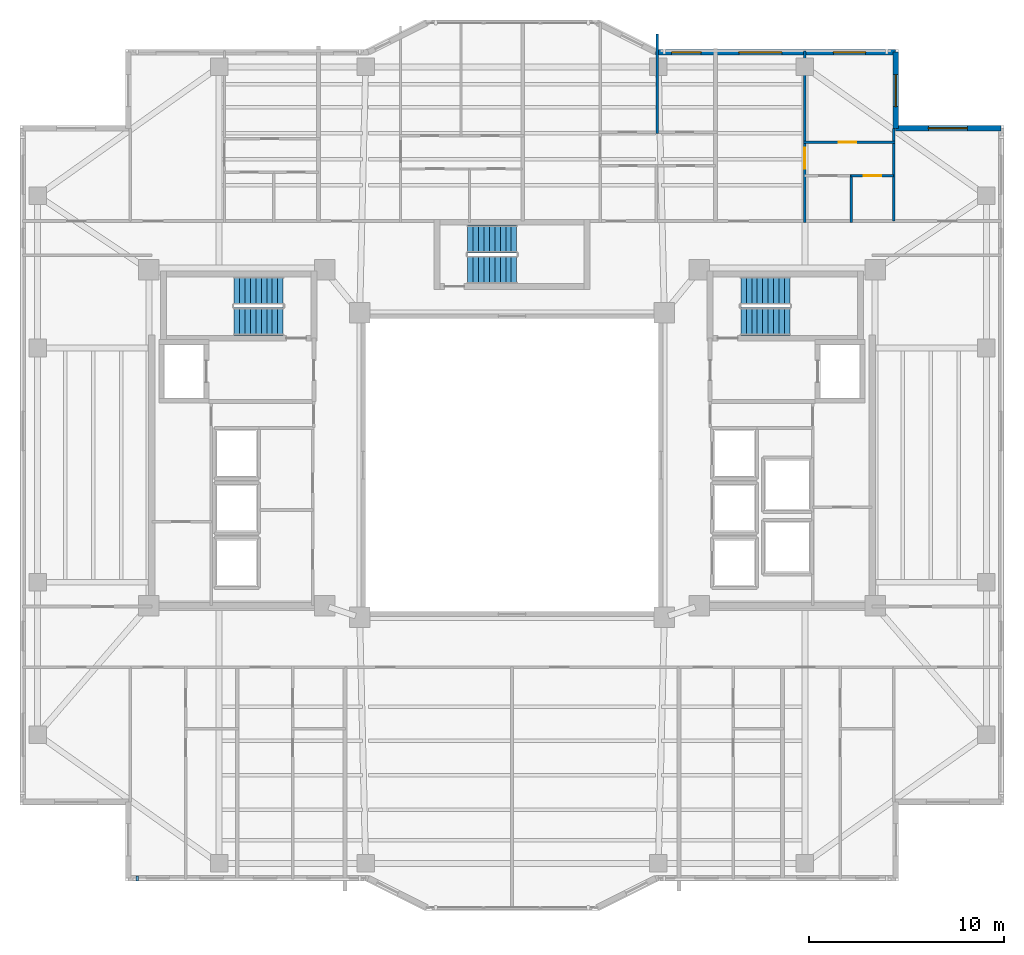
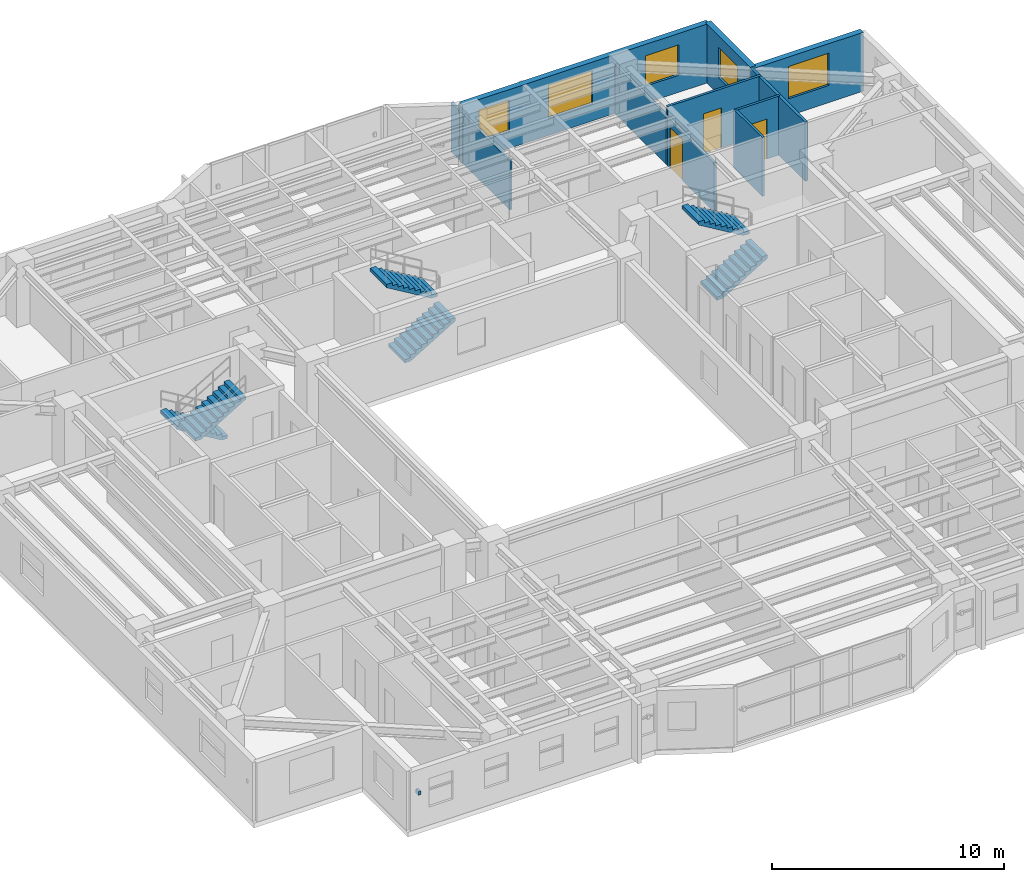
# One storey, part 11 of 16: 9 walls, 6 stair flights, 5 windows, 3 doors, 1 discrete accessory, 8 openings, 3 elements without a shape of their own.
"""IFC4 building model written with IfcOpenShell, lengths in metres."""

from ifc_helpers import new_model, si_unit, direction, frame, frame_2d, origin, origin_2d, place, context, subcontext, project, spatial, polyline, rectangle, outline, extrude, material, layer, layer_set, type_object, element, fill, aggregate, save


model = new_model("IFC4")

# Units and contexts
model_context = context("Model", 3, precision=1e-05, world=origin(), true_north=direction((0.0, 1.0)))
body_context = subcontext(model_context, "Body", "Model", "MODEL_VIEW")
ifc_project = project(units=[si_unit("LENGTHUNIT", "METRE"), si_unit("AREAUNIT", "SQUARE_METRE"), si_unit("VOLUMEUNIT", "CUBIC_METRE"), si_unit("PLANEANGLEUNIT", "RADIAN"), si_unit("MASSUNIT", "GRAM", prefix="KILO")], contexts=[model_context])

# Site, building, storey
site_placement = place(None, origin())
site = spatial("IfcSite", under=ifc_project, at=site_placement, CompositionType="ELEMENT")
building_placement = place(site_placement, origin())
building = spatial("IfcBuilding", under=site, at=building_placement, Name="Tarnavaz Court Tower", CompositionType="ELEMENT")
storey_placement = place(building_placement, frame((0.0, 0.0, 152.699951171875)))
storey = spatial("IfcBuildingStorey", under=building, at=storey_placement, Name="L41", CompositionType="ELEMENT", Elevation=152.699951171875)

# Wall, openings, windows
ifc_material_1 = material(Name="Precast Concrete C40/50", Category="concrete")
ifc_layer_1 = layer(ifc_material_1, 0.280029296875)
ifc_layer_set_1 = layer_set([ifc_layer_1], Name="Precast Concrete C40/50")
wall_type_1 = type_object("IfcWallType", Name="WL-EXT-280", PredefinedType="SOLIDWALL", material=ifc_layer_set_1)
wall_1_placement = place(storey_placement, frame((7.35009765625, 21.14990234375, 0.0), z_axis=(0.0, 0.0, 1.0), x_axis=(1.0, 0.0, 0.0)))
wall_1 = element("IfcWall", 1, at=wall_1_placement, inside=storey, type_object=wall_type_1, Name="L41 Exterior Terracotta Facade Wall 09", PredefinedType="SOLIDWALL", context=body_context, shape_type="SweptSolid", body=[
    extrude(rectangle(XDim=12.2998046875, YDim=0.280029296875, at=frame_2d((6.14990234375, 0.0))), origin(), (0.0, 0.0, 1.0), 3.10009765625),
])
opening_1_placement = place(wall_1_placement, frame((0.831298828125, 0.0, 0.89990234375)))
opening_1 = element("IfcOpeningElement", 2, at=opening_1_placement, cuts=wall_1, Name="Opening W03", PredefinedType="OPENING", context=body_context, shape_type="SweptSolid", body=[
    extrude(rectangle(XDim=1.5, YDim=1.64990234375, at=frame_2d((0.75, 0.824951171875))), frame((0.0, 0.14990234375, 0.0), z_axis=(0.0, -1.0, 0.0), x_axis=(1.0, 0.0, 0.0)), (0.0, 0.0, 1.0), 0.300048828125),
])
opening_2_placement = place(wall_1_placement, frame((4.271728515625, 0.0, 0.89990234375)))
opening_2 = element("IfcOpeningElement", 3, at=opening_2_placement, cuts=wall_1, Name="Opening W07", PredefinedType="OPENING", context=body_context, shape_type="SweptSolid", body=[
    extrude(rectangle(XDim=2.199951171875, YDim=1.75, at=frame_2d((1.10009765625, 0.875))), frame((0.0, 0.14990234375, 0.0), z_axis=(0.0, -1.0, 0.0), x_axis=(1.0, 0.0, 0.0)), (0.0, 0.0, 1.0), 0.300048828125),
])
opening_3_placement = place(wall_1_placement, frame((9.115478515625, 0.0, 0.89990234375)))
opening_3 = element("IfcOpeningElement", 4, at=opening_3_placement, cuts=wall_1, Name="Opening W02", PredefinedType="OPENING", context=body_context, shape_type="SweptSolid", body=[
    extrude(rectangle(XDim=1.64990234375, YDim=1.60009765625, at=frame_2d((0.824951171875, 0.800048828125))), frame((0.0, 0.14990234375, 0.0), z_axis=(0.0, -1.0, 0.0), x_axis=(1.0, 0.0, 0.0)), (0.0, 0.0, 1.0), 0.300048828125),
])
ifc_material_2 = material(Name="Double-Glazed Solar Low-E Glass", Category="glass")
window_type_1 = type_object("IfcWindowType", Name="WN-APT-1500", PartitioningType="DOUBLE_PANEL_VERTICAL", PredefinedType="WINDOW", material=ifc_material_2)
window_1_placement = place(opening_1_placement, origin())
window_1 = element("IfcWindow", 5, at=window_1_placement, inside=storey, type_object=window_type_1, Name="L41 Flat 03 Bedroom 2 Window", OverallHeight=1.64990234375, OverallWidth=1.5, PartitioningType="SINGLE_PANEL", PredefinedType="WINDOW", context=body_context, shape_type="SweptSolid", body=[
    extrude(rectangle(XDim=1.5, YDim=1.64990234375, at=frame_2d((0.75, 0.824951171875))), frame((0.0, 0.030029296875, 0.0), z_axis=(0.0, -1.0, 0.0), x_axis=(1.0, 0.0, 0.0)), (0.0, 0.0, 1.0), 0.06005859375),
])
fill(opening_1, window_1)
window_type_2 = type_object("IfcWindowType", Name="WN-APT-1650", PartitioningType="DOUBLE_PANEL_VERTICAL", PredefinedType="WINDOW", material=ifc_material_2)
window_2_placement = place(opening_3_placement, origin())
window_2 = element("IfcWindow", 6, at=window_2_placement, inside=storey, type_object=window_type_2, Name="L41 Flat 04 Bedroom 1 Window", OverallHeight=1.60009765625, OverallWidth=1.64990234375, PartitioningType="SINGLE_PANEL", PredefinedType="WINDOW", context=body_context, shape_type="SweptSolid", body=[
    extrude(rectangle(XDim=1.64990234375, YDim=1.60009765625, at=frame_2d((0.824951171875, 0.800048828125))), frame((0.0, 0.030029296875, 0.0), z_axis=(0.0, -1.0, 0.0), x_axis=(1.0, 0.0, 0.0)), (0.0, 0.0, 1.0), 0.06005859375),
])
fill(opening_3, window_2)
window_type_3 = type_object("IfcWindowType", Name="WN-APT-2200", PartitioningType="TRIPLE_PANEL_VERTICAL", PredefinedType="WINDOW", material=ifc_material_2)
window_3_placement = place(opening_2_placement, origin())
window_3 = element("IfcWindow", 7, at=window_3_placement, inside=storey, type_object=window_type_3, Name="L41 Flat 04 Living and Dining Room Window", OverallHeight=1.75, OverallWidth=2.199951171875, PartitioningType="SINGLE_PANEL", PredefinedType="WINDOW", context=body_context, shape_type="SweptSolid", body=[
    extrude(rectangle(XDim=2.199951171875, YDim=1.75, at=frame_2d((1.10009765625, 0.875))), frame((0.0, 0.030029296875, 0.0), z_axis=(0.0, -1.0, 0.0), x_axis=(1.0, 0.0, 0.0)), (0.0, 0.0, 1.0), 0.06005859375),
])
fill(opening_2, window_3)

# Wall, opening, window
wall_2_placement = place(storey_placement, frame((19.64990234375, 21.14990234375, 0.0), z_axis=(0.0, 0.0, 1.0), x_axis=(0.0, -1.0, 0.0)))
wall_2 = element("IfcWall", 8, at=wall_2_placement, inside=storey, type_object=wall_type_1, Name="L41 Exterior Terracotta Facade Wall 10", PredefinedType="SOLIDWALL", context=body_context, shape_type="SweptSolid", body=[
    extrude(rectangle(XDim=3.89990234375, YDim=0.280029296875, at=frame_2d((1.949951171875, 0.0))), origin(), (0.0, 0.0, 1.0), 3.10009765625),
])
opening_4_placement = place(wall_2_placement, frame((1.142822265625, 0.0, 0.89990234375)))
opening_4 = element("IfcOpeningElement", 9, at=opening_4_placement, cuts=wall_2, Name="Opening W02", PredefinedType="OPENING", context=body_context, shape_type="SweptSolid", body=[
    extrude(rectangle(XDim=1.64990234375, YDim=1.60009765625, at=frame_2d((0.824951171875, 0.800048828125))), frame((0.0, 0.14990234375, 0.0), z_axis=(0.0, -1.0, 0.0), x_axis=(1.0, 0.0, 0.0)), (0.0, 0.0, 1.0), 0.300048828125),
])
window_4_placement = place(opening_4_placement, origin())
window_4 = element("IfcWindow", 10, at=window_4_placement, inside=storey, type_object=window_type_2, Name="L41 Flat 04 Bedroom 1 Window", OverallHeight=1.60009765625, OverallWidth=1.64990234375, PartitioningType="SINGLE_PANEL", PredefinedType="WINDOW", context=body_context, shape_type="SweptSolid", body=[
    extrude(rectangle(XDim=1.64990234375, YDim=1.60009765625, at=frame_2d((0.824951171875, 0.800048828125))), frame((0.0, 0.030029296875, 0.0), z_axis=(0.0, -1.0, 0.0), x_axis=(1.0, 0.0, 0.0)), (0.0, 0.0, 1.0), 0.06005859375),
])
fill(opening_4, window_4)

wall_3_placement = place(storey_placement, frame((19.64990234375, 17.25, 0.0), z_axis=(0.0, 0.0, 1.0), x_axis=(1.0, 0.0, 0.0)))
wall_3 = element("IfcWall", 11, at=wall_3_placement, inside=storey, type_object=wall_type_1, Name="L41 Exterior Terracotta Facade Wall 11", PredefinedType="SOLIDWALL", context=body_context, shape_type="SweptSolid", body=[
    extrude(rectangle(XDim=5.400146484375, YDim=0.280029296875, at=frame_2d((2.7001953125, 0.0))), origin(), (0.0, 0.0, 1.0), 3.10009765625),
])
opening_5_placement = place(wall_3_placement, frame((1.675048828125, 0.0, 0.89990234375)))
opening_5 = element("IfcOpeningElement", 12, at=opening_5_placement, cuts=wall_3, Name="Opening W08", PredefinedType="OPENING", context=body_context, shape_type="SweptSolid", body=[
    extrude(rectangle(XDim=2.0, YDim=1.699951171875, at=frame_2d((1.0, 0.85009765625))), frame((0.0, 0.14990234375, 0.0), z_axis=(0.0, -1.0, 0.0), x_axis=(1.0, 0.0, 0.0)), (0.0, 0.0, 1.0), 0.300048828125),
])
window_type_4 = type_object("IfcWindowType", Name="WN-APT-2000", PartitioningType="DOUBLE_PANEL_VERTICAL", PredefinedType="WINDOW", material=ifc_material_2)
window_5_placement = place(opening_5_placement, origin())
window_5 = element("IfcWindow", 13, at=window_5_placement, inside=storey, type_object=window_type_4, Name="L41 North-East Corner Sunroom Study Window", OverallHeight=1.699951171875, OverallWidth=2.0, PartitioningType="SINGLE_PANEL", PredefinedType="WINDOW", context=body_context, shape_type="SweptSolid", body=[
    extrude(rectangle(XDim=2.0, YDim=1.699951171875, at=frame_2d((1.0, 0.85009765625))), frame((0.0, 0.030029296875, 0.0), z_axis=(0.0, -1.0, 0.0), x_axis=(1.0, 0.0, 0.0)), (0.0, 0.0, 1.0), 0.06005859375),
])
fill(opening_5, window_5)

# Wall
ifc_material_3 = material(Name="Moisture-Resistant Gypsum Board Partition", Category="masonry")
ifc_layer_2 = layer(ifc_material_3, 0.1201171875)
ifc_layer_set_2 = layer_set([ifc_layer_2], Name="Moisture-Resistant Gypsum Board Partition")
wall_type_2 = type_object("IfcWallType", Name="WL-PART-120", PredefinedType="PARTITIONING", material=ifc_layer_set_2)
wall_4_placement = place(storey_placement, frame((7.44189453125, 16.989990234375, 0.0), z_axis=(0.0, 0.0, 1.0), x_axis=(0.0, 1.0, 0.0)))
element("IfcWall", 14, at=wall_4_placement, inside=storey, type_object=wall_type_2, Name="L41 Interior Partition 094", PredefinedType="PARTITIONING", context=body_context, shape_type="SweptSolid", body=[
    extrude(rectangle(XDim=5.087890625, YDim=0.1201171875, at=frame_2d((2.5439453125, 0.0))), origin(), (0.0, 0.0, 1.0), 2.5849609375),
])

# Wall, opening, door
wall_5_placement = place(storey_placement, frame((14.989990234375, 12.43994140625, 0.0), z_axis=(0.0, 0.0, 1.0), x_axis=(0.0, 1.0, 0.0)))
wall_5 = element("IfcWall", 15, at=wall_5_placement, inside=storey, type_object=wall_type_2, Name="L41 Interior Partition 095", PredefinedType="PARTITIONING", context=body_context, shape_type="SweptSolid", body=[
    extrude(rectangle(XDim=8.760009765625, YDim=0.1201171875, at=frame_2d((4.3798828125, 0.0))), origin(), (0.0, 0.0, 1.0), 2.5849609375),
])
opening_6_placement = place(wall_5_placement, frame((2.735107421875, 0.0, 0.0)))
opening_6 = element("IfcOpeningElement", 16, at=opening_6_placement, cuts=wall_5, Name="Opening D12", PredefinedType="OPENING", context=body_context, shape_type="SweptSolid", body=[
    extrude(rectangle(XDim=1.080078125, YDim=2.14990234375, at=frame_2d((0.5400390625, 1.074951171875))), frame((0.0, 0.070068359375, 0.0), z_axis=(0.0, -1.0, 0.0), x_axis=(1.0, 0.0, 0.0)), (0.0, 0.0, 1.0), 0.14013671875),
])
ifc_material_4 = material(Name="Engineered Oak Timber", Category="wood")
door_type_1 = type_object("IfcDoorType", Name="DR-INT-1100", OperationType="NOTDEFINED", PredefinedType="DOOR", material=ifc_material_4)
door_1_placement = place(opening_6_placement, origin())
door_1 = element("IfcDoor", 17, at=door_1_placement, inside=storey, type_object=door_type_1, Name="L41 Flat 04 Foyer Door", OperationType="SINGLE_SWING_LEFT", OverallHeight=2.14990234375, OverallWidth=1.080078125, PredefinedType="DOOR", context=body_context, shape_type="SweptSolid", body=[
    extrude(rectangle(XDim=1.080078125, YDim=2.14990234375, at=frame_2d((0.5400390625, 1.074951171875))), frame((0.0, 0.02490234375, 0.0), z_axis=(0.0, -1.0, 0.0), x_axis=(1.0, 0.0, 0.0)), (0.0, 0.0, 1.0), 0.050048828125),
])
fill(opening_6, door_1)

wall_6_placement = place(storey_placement, frame((17.375, 14.830078125, 0.0), z_axis=(0.0, 0.0, 1.0), x_axis=(1.0, 0.0, 0.0)))
wall_6 = element("IfcWall", 18, at=wall_6_placement, inside=storey, type_object=wall_type_2, Name="L41 Interior Partition 097", PredefinedType="PARTITIONING", context=body_context, shape_type="SweptSolid", body=[
    extrude(rectangle(XDim=2.175048828125, YDim=0.1201171875, at=frame_2d((1.08740234375, 0.0))), origin(), (0.0, 0.0, 1.0), 3.10009765625),
])
opening_7_placement = place(wall_6_placement, frame((0.64794921875, 0.0, 0.0)))
opening_7 = element("IfcOpeningElement", 19, at=opening_7_placement, cuts=wall_6, Name="Opening D14", PredefinedType="OPENING", context=body_context, shape_type="SweptSolid", body=[
    extrude(rectangle(XDim=0.8798828125, YDim=2.10009765625, at=frame_2d((0.43994140625, 1.050048828125))), frame((0.0, 0.070068359375, 0.0), z_axis=(0.0, -1.0, 0.0), x_axis=(1.0, 0.0, 0.0)), (0.0, 0.0, 1.0), 0.14013671875),
])
door_type_2 = type_object("IfcDoorType", Name="DR-INT-900", OperationType="NOTDEFINED", PredefinedType="DOOR", material=ifc_material_4)
door_2_placement = place(opening_7_placement, origin())
door_2 = element("IfcDoor", 20, at=door_2_placement, inside=storey, type_object=door_type_2, Name="L41 Flat 04 Bathroom Door", OperationType="SINGLE_SWING_LEFT", OverallHeight=2.10009765625, OverallWidth=0.8798828125, PredefinedType="DOOR", context=body_context, shape_type="SweptSolid", body=[
    extrude(rectangle(XDim=0.8798828125, YDim=2.10009765625, at=frame_2d((0.43994140625, 1.050048828125))), frame((0.0, 0.02490234375, 0.0), z_axis=(0.0, -1.0, 0.0), x_axis=(1.0, 0.0, 0.0)), (0.0, 0.0, 1.0), 0.050048828125),
])
fill(opening_7, door_2)

wall_7_placement = place(storey_placement, frame((14.929931640625, 16.5400390625, 0.0), z_axis=(0.0, 0.0, 1.0), x_axis=(1.0, 0.0, 0.0)))
wall_7 = element("IfcWall", 21, at=wall_7_placement, inside=storey, type_object=wall_type_2, Name="L41 Interior Partition 098", PredefinedType="PARTITIONING", context=body_context, shape_type="SweptSolid", body=[
    extrude(rectangle(XDim=4.68017578125, YDim=0.1201171875, at=frame_2d((2.340087890625, 0.0))), origin(), (0.0, 0.0, 1.0), 3.10009765625),
])
opening_8_placement = place(wall_7_placement, frame((1.81005859375, 0.0, 0.0)))
opening_8 = element("IfcOpeningElement", 22, at=opening_8_placement, cuts=wall_7, Name="Opening D14", PredefinedType="OPENING", context=body_context, shape_type="SweptSolid", body=[
    extrude(rectangle(XDim=0.8798828125, YDim=2.10009765625, at=frame_2d((0.43994140625, 1.050048828125))), frame((0.0, 0.070068359375, 0.0), z_axis=(0.0, -1.0, 0.0), x_axis=(1.0, 0.0, 0.0)), (0.0, 0.0, 1.0), 0.14013671875),
])
door_3_placement = place(opening_8_placement, origin())
door_3 = element("IfcDoor", 23, at=door_3_placement, inside=storey, type_object=door_type_2, Name="L41 Flat 04 Bedroom 1 Door", OperationType="SINGLE_SWING_RIGHT", OverallHeight=2.10009765625, OverallWidth=0.8798828125, PredefinedType="DOOR", context=body_context, shape_type="SweptSolid", body=[
    extrude(rectangle(XDim=0.8798828125, YDim=2.10009765625, at=frame_2d((0.43994140625, 1.050048828125))), frame((0.0, 0.02490234375, 0.0), z_axis=(0.0, -1.0, 0.0), x_axis=(1.0, 0.0, 0.0)), (0.0, 0.0, 1.0), 0.050048828125),
])
fill(opening_8, door_3)

# Walls
wall_8_placement = place(storey_placement, frame((17.375, 12.43994140625, 0.0), z_axis=(0.0, 0.0, 1.0), x_axis=(0.0, 1.0, 0.0)))
element("IfcWall", 24, at=wall_8_placement, inside=storey, type_object=wall_type_2, Name="L41 Interior Partition 099", PredefinedType="PARTITIONING", context=body_context, shape_type="SweptSolid", body=[
    extrude(rectangle(XDim=2.449951171875, YDim=0.1201171875, at=frame_2d((1.22509765625, 0.0))), origin(), (0.0, 0.0, 1.0), 3.10009765625),
])
ifc_material_5 = material(Name="Gypsum Plasterboard Acoustic Partition", Category="masonry")
ifc_layer_3 = layer(ifc_material_5, 0.139892578125)
ifc_layer_set_3 = layer_set([ifc_layer_3], Name="Gypsum Plasterboard Acoustic Partition")
wall_type_3 = type_object("IfcWallType", Name="WL-PART-150", PredefinedType="PARTITIONING", material=ifc_layer_set_3)
wall_9_placement = place(storey_placement, frame((19.550048828125, 12.5, 0.0), z_axis=(0.0, 0.0, 1.0), x_axis=(0.0, 1.0, 0.0)))
element("IfcWall", 25, at=wall_9_placement, inside=storey, type_object=wall_type_3, Name="L41 Interior Partition 125", PredefinedType="PARTITIONING", context=body_context, shape_type="SweptSolid", body=[
    extrude(rectangle(XDim=4.75, YDim=0.139892578125, at=frame_2d((2.375, 0.0))), origin(), (0.0, 0.0, 1.0), 3.10009765625),
])

# Stair, stair flights
ifc_material_6 = material(Name="Concrete C40/50", Category="concrete")
stair_type = type_object("IfcStairType", Name="ST-TWR-20R", PredefinedType="HALF_TURN_STAIR", material=ifc_material_6)
stair_1_placement = place(storey_placement, origin())
stair_1 = element("IfcStair", 26, at=stair_1_placement, inside=storey, type_object=stair_type, Name="L41 West Core Pressurized Exit Stair ST-W1", PredefinedType="HALF_TURN_STAIR")
stair_flight_type = type_object("IfcStairFlightType", Name="SFL-RC-20R", PredefinedType="STRAIGHT", material=ifc_material_6)
stair_flight_1_placement = place(storey_placement, frame((-11.719970703125, 8.929931640625, 0.0), z_axis=(0.0, 0.0, 1.0), x_axis=(-1.0, 0.0, 0.0)))
stair_flight_1 = element("IfcStairFlight", 27, at=stair_flight_1_placement, type_object=stair_flight_type, Name="ST-W1 flight 1", NumberOfRisers=10, NumberOfTreads=9, PredefinedType="STRAIGHT", RiserHeight=0.1675, TreadLength=0.28, context=body_context, shape_type="SweptSolid", body=[
    extrude(outline(polyline([(0.0, 0.0), (0.0, 0.16748046875), (0.280029296875, 0.16748046875), (0.280029296875, 0.3349609375), (0.56005859375, 0.3349609375), (0.56005859375, 0.50244140625), (0.840087890625, 0.50244140625), (0.840087890625, 0.669921875), (1.1201171875, 0.669921875), (1.1201171875, 0.83740234375), (1.39990234375, 0.83740234375), (1.39990234375, 1.0048828125), (1.679931640625, 1.0048828125), (1.679931640625, 1.172607421875), (1.9599609375, 1.172607421875), (1.9599609375, 1.340087890625), (2.239990234375, 1.340087890625), (2.239990234375, 1.507568359375), (2.52001953125, 1.507568359375), (2.52001953125, 1.675048828125), (2.52001953125, 1.332763671875), (0.2919921875, 0.0), (0.0, 0.0)])), frame((0.0, 0.7099609375, 0.0), z_axis=(0.0, -1.0, 0.0), x_axis=(1.0, 0.0, 0.0)), (0.0, 0.0, 1.0), 1.419921875),
])
stair_flight_2_placement = place(storey_placement, frame((-14.239990234375, 7.360107421875, 1.675048828125), z_axis=(0.0, 0.0, 1.0), x_axis=(1.0, 0.0, 0.0)))
stair_flight_2 = element("IfcStairFlight", 28, at=stair_flight_2_placement, type_object=stair_flight_type, Name="ST-W1 flight 2", NumberOfRisers=10, NumberOfTreads=9, PredefinedType="STRAIGHT", RiserHeight=0.1675, TreadLength=0.28, context=body_context, shape_type="SweptSolid", body=[
    extrude(outline(polyline([(0.0, 0.0), (0.0, 0.16748046875), (0.280029296875, 0.16748046875), (0.280029296875, 0.3349609375), (0.56005859375, 0.3349609375), (0.56005859375, 0.50244140625), (0.840087890625, 0.50244140625), (0.840087890625, 0.669921875), (1.1201171875, 0.669921875), (1.1201171875, 0.83740234375), (1.39990234375, 0.83740234375), (1.39990234375, 1.0048828125), (1.679931640625, 1.0048828125), (1.679931640625, 1.172607421875), (1.9599609375, 1.172607421875), (1.9599609375, 1.340087890625), (2.239990234375, 1.340087890625), (2.239990234375, 1.507568359375), (2.52001953125, 1.507568359375), (2.52001953125, 1.675048828125), (2.52001953125, 1.332763671875), (0.2919921875, 0.0), (0.0, 0.0)])), frame((0.0, 0.7099609375, 0.0), z_axis=(0.0, -1.0, 0.0), x_axis=(1.0, 0.0, 0.0)), (0.0, 0.0, 1.0), 1.419921875),
])
aggregate(stair_1, [stair_flight_1, stair_flight_2])

stair_2_placement = place(storey_placement, origin())
stair_2 = element("IfcStair", 29, at=stair_2_placement, inside=storey, type_object=stair_type, Name="L41 East Core Pressurized Exit Stair ST-E1", PredefinedType="HALF_TURN_STAIR")
stair_flight_3_placement = place(storey_placement, frame((11.719970703125, 7.360107421875, 0.0), z_axis=(0.0, 0.0, 1.0), x_axis=(1.0, 0.0, 0.0)))
stair_flight_3 = element("IfcStairFlight", 30, at=stair_flight_3_placement, type_object=stair_flight_type, Name="ST-E1 flight 1", NumberOfRisers=10, NumberOfTreads=9, PredefinedType="STRAIGHT", RiserHeight=0.1675, TreadLength=0.28, context=body_context, shape_type="SweptSolid", body=[
    extrude(outline(polyline([(0.0, 0.0), (0.0, 0.16748046875), (0.280029296875, 0.16748046875), (0.280029296875, 0.3349609375), (0.56005859375, 0.3349609375), (0.56005859375, 0.50244140625), (0.840087890625, 0.50244140625), (0.840087890625, 0.669921875), (1.1201171875, 0.669921875), (1.1201171875, 0.83740234375), (1.39990234375, 0.83740234375), (1.39990234375, 1.0048828125), (1.679931640625, 1.0048828125), (1.679931640625, 1.172607421875), (1.9599609375, 1.172607421875), (1.9599609375, 1.340087890625), (2.239990234375, 1.340087890625), (2.239990234375, 1.507568359375), (2.52001953125, 1.507568359375), (2.52001953125, 1.675048828125), (2.52001953125, 1.332763671875), (0.2919921875, 0.0), (0.0, 0.0)])), frame((0.0, 0.7099609375, 0.0), z_axis=(0.0, -1.0, 0.0), x_axis=(1.0, 0.0, 0.0)), (0.0, 0.0, 1.0), 1.419921875),
])
stair_flight_4_placement = place(storey_placement, frame((14.239990234375, 8.929931640625, 1.675048828125), z_axis=(0.0, 0.0, 1.0), x_axis=(-1.0, 0.0, 0.0)))
stair_flight_4 = element("IfcStairFlight", 31, at=stair_flight_4_placement, type_object=stair_flight_type, Name="ST-E1 flight 2", NumberOfRisers=10, NumberOfTreads=9, PredefinedType="STRAIGHT", RiserHeight=0.1675, TreadLength=0.28, context=body_context, shape_type="SweptSolid", body=[
    extrude(outline(polyline([(0.0, 0.0), (0.0, 0.16748046875), (0.280029296875, 0.16748046875), (0.280029296875, 0.3349609375), (0.56005859375, 0.3349609375), (0.56005859375, 0.50244140625), (0.840087890625, 0.50244140625), (0.840087890625, 0.669921875), (1.1201171875, 0.669921875), (1.1201171875, 0.83740234375), (1.39990234375, 0.83740234375), (1.39990234375, 1.0048828125), (1.679931640625, 1.0048828125), (1.679931640625, 1.172607421875), (1.9599609375, 1.172607421875), (1.9599609375, 1.340087890625), (2.239990234375, 1.340087890625), (2.239990234375, 1.507568359375), (2.52001953125, 1.507568359375), (2.52001953125, 1.675048828125), (2.52001953125, 1.332763671875), (0.2919921875, 0.0), (0.0, 0.0)])), frame((0.0, 0.7099609375, 0.0), z_axis=(0.0, -1.0, 0.0), x_axis=(1.0, 0.0, 0.0)), (0.0, 0.0, 1.0), 1.419921875),
])
aggregate(stair_2, [stair_flight_3, stair_flight_4])

stair_3_placement = place(storey_placement, origin())
stair_3 = element("IfcStair", 32, at=stair_3_placement, inside=storey, type_object=stair_type, Name="L41 North Ring Pressurized Exit Stair ST-N1", PredefinedType="HALF_TURN_STAIR")
stair_flight_5_placement = place(storey_placement, frame((-2.280029296875, 10.010009765625, 0.0), z_axis=(0.0, 0.0, 1.0), x_axis=(1.0, 0.0, 0.0)))
stair_flight_5 = element("IfcStairFlight", 33, at=stair_flight_5_placement, type_object=stair_flight_type, Name="ST-N1 flight 1", NumberOfRisers=10, NumberOfTreads=9, PredefinedType="STRAIGHT", RiserHeight=0.1675, TreadLength=0.28, context=body_context, shape_type="SweptSolid", body=[
    extrude(outline(polyline([(0.0, 0.0), (0.0, 0.16748046875), (0.280029296875, 0.16748046875), (0.280029296875, 0.3349609375), (0.56005859375, 0.3349609375), (0.56005859375, 0.50244140625), (0.840087890625, 0.50244140625), (0.840087890625, 0.669921875), (1.1201171875, 0.669921875), (1.1201171875, 0.83740234375), (1.39990234375, 0.83740234375), (1.39990234375, 1.0048828125), (1.679931640625, 1.0048828125), (1.679931640625, 1.172607421875), (1.9599609375, 1.172607421875), (1.9599609375, 1.340087890625), (2.239990234375, 1.340087890625), (2.239990234375, 1.507568359375), (2.52001953125, 1.507568359375), (2.52001953125, 1.675048828125), (2.52001953125, 1.332763671875), (0.2919921875, 0.0), (0.0, 0.0)])), frame((0.0, 0.7099609375, 0.0), z_axis=(0.0, -1.0, 0.0), x_axis=(1.0, 0.0, 0.0)), (0.0, 0.0, 1.0), 1.419921875),
])
stair_flight_6_placement = place(storey_placement, frame((0.239990234375, 11.580078125, 1.675048828125), z_axis=(0.0, 0.0, 1.0), x_axis=(-1.0, 0.0, 0.0)))
stair_flight_6 = element("IfcStairFlight", 34, at=stair_flight_6_placement, type_object=stair_flight_type, Name="ST-N1 flight 2", NumberOfRisers=10, NumberOfTreads=9, PredefinedType="STRAIGHT", RiserHeight=0.1675, TreadLength=0.28, context=body_context, shape_type="SweptSolid", body=[
    extrude(outline(polyline([(0.0, 0.0), (0.0, 0.16748046875), (0.280029296875, 0.16748046875), (0.280029296875, 0.3349609375), (0.56005859375, 0.3349609375), (0.56005859375, 0.50244140625), (0.840087890625, 0.50244140625), (0.840087890625, 0.669921875), (1.1201171875, 0.669921875), (1.1201171875, 0.83740234375), (1.39990234375, 0.83740234375), (1.39990234375, 1.0048828125), (1.679931640625, 1.0048828125), (1.679931640625, 1.172607421875), (1.9599609375, 1.172607421875), (1.9599609375, 1.340087890625), (2.239990234375, 1.340087890625), (2.239990234375, 1.507568359375), (2.52001953125, 1.507568359375), (2.52001953125, 1.675048828125), (2.52001953125, 1.332763671875), (0.2919921875, 0.0), (0.0, 0.0)])), frame((0.0, 0.7099609375, 0.0), z_axis=(0.0, -1.0, 0.0), x_axis=(1.0, 0.0, 0.0)), (0.0, 0.0, 1.0), 1.419921875),
])
aggregate(stair_3, [stair_flight_5, stair_flight_6])

# Discrete accessory
ifc_material_7 = material(Name="Anodised Aluminium 6063-T6", Category="aluminium")
discrete_accessory_type = type_object("IfcDiscreteAccessoryType", Name="DA-BRKT-ALU", PredefinedType="BRACKET", material=ifc_material_7)
discrete_accessory_placement = place(storey_placement, frame((-19.199951171875, -21.169921875, 1.75), z_axis=(0.0, 0.0, 1.0), x_axis=(-1.0, 0.0, 0.0)))
element("IfcDiscreteAccessory", 35, at=discrete_accessory_placement, inside=storey, type_object=discrete_accessory_type, Name="L41 Baguette Outrigger Bracket FBG19-2", PredefinedType="BRACKET", context=body_context, shape_type="SweptSolid", body=[
    extrude(rectangle(XDim=0.139892578125, YDim=0.239990234375, at=origin_2d()), origin(), (0.0, 0.0, 1.0), 0.199951171875),
])

save(model, "model.ifc")
